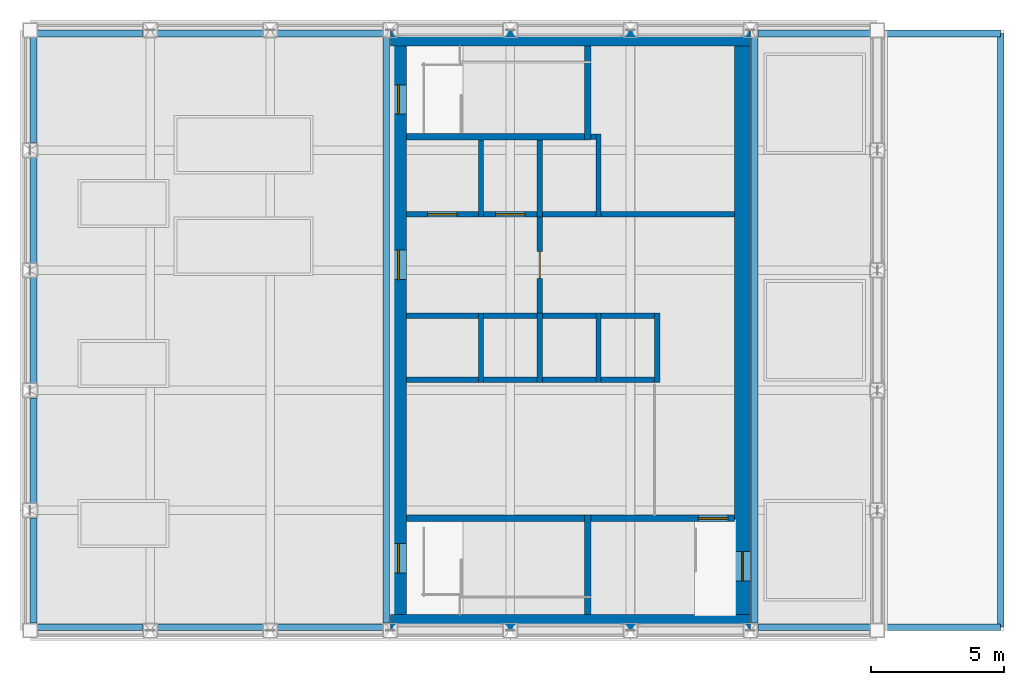
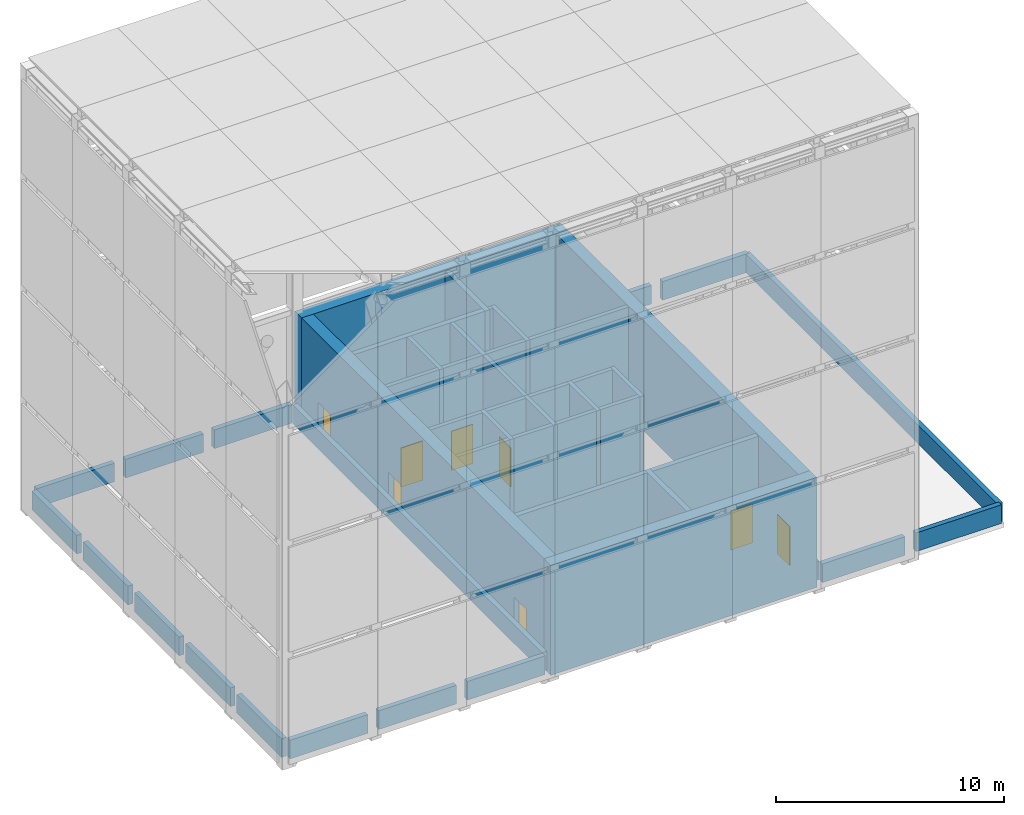
# One storey, part 7 of 11: 48 walls, 8 doors, 8 openings.
"""IFC4 building model written with IfcOpenShell, lengths in metres."""

import ifcopenshell
import ifcopenshell.guid

model = None  # the IFC model being written
_history = None  # IfcOwnerHistory: only IFC2X3 demands one
_inside = {}  # id of a spatial element -> (the spatial element, [elements in it])
_under = {}  # id of a project, library or spatial element -> (it, [spatial elements below it])
_declared = {}  # id of a project -> (the project, [libraries it declares])
_typed = {}  # id of a type object -> (the type object, [elements of that type])
_made_of = {}  # id of a material, layer set ... -> (it, [elements and type objects made of it])


def new_model(schema):
    """Start an empty IFC model of exactly this schema.

    Asked for "IFC4X3", IfcOpenShell would pick the latest addendum, in which some entities
    have other attributes; the version numbers below select the first issue.
    IFC2X3 requires an IfcOwnerHistory on every rooted entity: one is made here for all.
    """
    global model, _history
    if schema == "IFC4X3":
        model = ifcopenshell.file(schema_version=(4, 3, 0, 0))
    else:
        model = ifcopenshell.file(schema=schema)
    _inside.clear()
    _under.clear()
    _declared.clear()
    _typed.clear()
    _made_of.clear()
    _history = None
    if model.schema == "IFC2X3":
        org = make("IfcOrganization", Name="unknown")
        user = make(
            "IfcPersonAndOrganization",
            ThePerson=make("IfcPerson", FamilyName="unknown"),
            TheOrganization=org,
        )
        app = make(
            "IfcApplication",
            ApplicationDeveloper=org,
            Version="unknown",
            ApplicationFullName="unknown",
            ApplicationIdentifier="unknown",
        )
        _history = make(
            "IfcOwnerHistory",
            OwningUser=user,
            OwningApplication=app,
            ChangeAction="ADDED",
            CreationDate=0,
        )
    return model


def make(cls, **values):
    """One entity of the class cls with the attributes given. An attribute that is None is left unset."""
    return model.create_entity(
        cls, **{name: value for name, value in values.items() if value is not None}
    )


def rooted(cls, **values):
    """An entity with a GlobalId (a new one), such as an element, a storey or a relation."""
    return make(cls, GlobalId=ifcopenshell.guid.new(), OwnerHistory=_history, **values)


def si_unit(unit_type, name, prefix=None):
    """IfcSIUnit, for example si_unit("LENGTHUNIT", "METRE", prefix="MILLI")."""
    return make("IfcSIUnit", UnitType=unit_type, Prefix=prefix, Name=name)


def assignment(units):
    """IfcUnitAssignment: the units of a project."""
    return None if units is None else make("IfcUnitAssignment", Units=units)


def point(xyz):
    """IfcCartesianPoint."""
    return None if xyz is None else make("IfcCartesianPoint", Coordinates=xyz)


def direction(xyz):
    """IfcDirection."""
    return None if xyz is None else make("IfcDirection", DirectionRatios=xyz)


def frame(location, z_axis=None, x_axis=None):
    """IfcAxis2Placement3D, a coordinate frame: its origin and axes. An axis left out is left unset."""
    return make(
        "IfcAxis2Placement3D",
        Location=point(location),
        Axis=direction(z_axis),
        RefDirection=direction(x_axis),
    )


def frame_2d(location, x_axis=None):
    """IfcAxis2Placement2D, a coordinate frame in the plane: its origin and x axis."""
    return make(
        "IfcAxis2Placement2D", Location=point(location), RefDirection=direction(x_axis)
    )


def origin():
    """The frame at (0, 0, 0) with its axes left unset."""
    return frame((0.0, 0.0, 0.0))


def place(relative_to, where):
    """IfcLocalPlacement: puts the frame where relative to a parent placement (None: the world)."""
    return make(
        "IfcLocalPlacement", PlacementRelTo=relative_to, RelativePlacement=where
    )


def context(
    kind, dimensions, precision=None, world=None, true_north=None, identifier=None
):
    """IfcGeometricRepresentationContext, for example the 3D "Model" context."""
    return make(
        "IfcGeometricRepresentationContext",
        ContextIdentifier=identifier,
        ContextType=kind,
        CoordinateSpaceDimension=dimensions,
        Precision=precision,
        WorldCoordinateSystem=world,
        TrueNorth=true_north,
    )


def subcontext(parent, identifier, kind, view, scale=None):
    """IfcGeometricRepresentationSubContext, for example "Body" below "Model"."""
    return make(
        "IfcGeometricRepresentationSubContext",
        ContextIdentifier=identifier,
        ContextType=kind,
        ParentContext=parent,
        TargetScale=scale,
        TargetView=view,
    )


def project(units=None, contexts=None):
    """IfcProject with its units and contexts."""
    return rooted(
        "IfcProject",
        Name="project",
        RepresentationContexts=contexts,
        UnitsInContext=assignment(units),
    )


def spatial(cls, under=None, at=None, **own):
    """A site, building, storey or space (cls), placed at a placement, below another one or the project."""
    s = rooted(cls, ObjectPlacement=at, **own)
    if under is not None:
        _under.setdefault(under.id(), (under, []))[1].append(s)
    return s


def profile(cls, at=None, kind="AREA", **sizes):
    """A parametric profile (cls). Its sizes go by their IFC names, for example OverallWidth=200.0."""
    return make(cls, ProfileType=kind, Position=at, **sizes)


def rectangle(**sizes):
    """IfcRectangleProfileDef."""
    return profile("IfcRectangleProfileDef", **sizes)


def extrude(swept, where, along, depth):
    """IfcExtrudedAreaSolid: the profile swept, set in the frame where, extruded along a direction by depth."""
    return make(
        "IfcExtrudedAreaSolid",
        SweptArea=swept,
        Position=where,
        ExtrudedDirection=direction(along),
        Depth=depth,
    )


def shape(context_of_items, identifier, shape_type, items):
    """IfcShapeRepresentation: the items that make up one representation, for example the "Body"."""
    return make(
        "IfcShapeRepresentation",
        ContextOfItems=context_of_items,
        RepresentationIdentifier=identifier,
        RepresentationType=shape_type,
        Items=items,
    )


def material(Name=None, Category=None):
    """IfcMaterial."""
    return make("IfcMaterial", Name=Name, Category=Category)


def layer(
    of_material, thickness, ventilated=None, Name=None, Category=None, Priority=None
):
    """IfcMaterialLayer: one layer of a wall or slab, of a material (None: an air gap)."""
    return make(
        "IfcMaterialLayer",
        Material=of_material,
        LayerThickness=thickness,
        IsVentilated=ventilated,
        Name=Name,
        Category=Category,
        Priority=Priority,
    )


def layer_set(layers, Name=None):
    """IfcMaterialLayerSet."""
    return make("IfcMaterialLayerSet", MaterialLayers=layers, LayerSetName=Name)


def made_of(thing, what):
    """Note that an element or type object is made of a material, layer set ...; save() writes the relation."""
    if what is not None:
        _made_of.setdefault(what.id(), (what, []))[1].append(thing)
    return thing


def type_object(cls, material=None, **own):
    """A type object (cls), such as IfcWallType, which elements share."""
    return made_of(rooted(cls, **own), material)


def element(
    cls,
    number,
    at=None,
    inside=None,
    cuts=None,
    type_object=None,
    material=None,
    context=None,
    identifier="Body",
    shape_type=None,
    held_by="IfcProductDefinitionShape",
    body=None,
    shapes=None,
    **own,
):
    """One element of the class cls, such as IfcWall. Its Tag is "e" and its number.

    at: its placement. inside: the storey or other place that contains it. cuts: it is an
    opening in that element (IfcRelVoidsElement). A single representation is given by context,
    identifier, shape_type and body (its items); several are given by shapes. held_by: the class
    of the entity that holds the representations. save() writes the other relations.
    """
    e = rooted(cls, Tag="e%d" % number, ObjectPlacement=at, **own)
    if body is not None:
        shapes = [shape(context, identifier, shape_type, body)]
    if shapes is not None:
        e.Representation = make(held_by, Representations=shapes)
    if inside is not None:
        _inside.setdefault(inside.id(), (inside, []))[1].append(e)
    if cuts is not None:
        rooted(
            "IfcRelVoidsElement", RelatingBuildingElement=cuts, RelatedOpeningElement=e
        )
    if type_object is not None:
        _typed.setdefault(type_object.id(), (type_object, []))[1].append(e)
    return made_of(e, material)


def fill(opening, filler):
    """IfcRelFillsElement: the door or window that sits in an opening."""
    return rooted(
        "IfcRelFillsElement",
        RelatingOpeningElement=opening,
        RelatedBuildingElement=filler,
    )


def aggregate(whole, parts):
    """IfcRelAggregates: a whole, such as a stair, and the parts it consists of."""
    return rooted("IfcRelAggregates", RelatingObject=whole, RelatedObjects=parts)


def save(model, path):
    """Write the relations noted so far, then the file.

    IfcRelAggregates (storeys below a building ...), IfcRelContainedInSpatialStructure (elements
    in a storey), IfcRelDefinesByType, IfcRelAssociatesMaterial and IfcRelDeclares: one each for
    every whole, place, type object, material and project.
    """
    for whole, parts in _under.values():
        aggregate(whole, parts)
    for where, things in _inside.values():
        rooted(
            "IfcRelContainedInSpatialStructure",
            RelatedElements=things,
            RelatingStructure=where,
        )
    for kind, things in _typed.values():
        rooted("IfcRelDefinesByType", RelatedObjects=things, RelatingType=kind)
    for what, things in _made_of.values():
        rooted("IfcRelAssociatesMaterial", RelatedObjects=things, RelatingMaterial=what)
    for by, libraries in _declared.values():
        rooted("IfcRelDeclares", RelatingContext=by, RelatedDefinitions=libraries)
    model.write(path)


model = new_model("IFC4")

# Units and contexts
model_context = context("Model", 3, precision=1e-05, world=origin(), true_north=direction((0.0, 1.0)))
body_context = subcontext(model_context, "Body", "Model", "MODEL_VIEW")
ifc_project = project(units=[si_unit("LENGTHUNIT", "METRE"), si_unit("AREAUNIT", "SQUARE_METRE"), si_unit("VOLUMEUNIT", "CUBIC_METRE"), si_unit("PLANEANGLEUNIT", "RADIAN"), si_unit("MASSUNIT", "GRAM", prefix="KILO")], contexts=[model_context])

# Site, building, storey
site_placement = place(None, origin())
site = spatial("IfcSite", under=ifc_project, at=site_placement, CompositionType="ELEMENT")
building_placement = place(site_placement, origin())
building = spatial("IfcBuilding", under=site, at=building_placement, Name="Sennacour Bend Tower", CompositionType="ELEMENT")
storey_placement = place(building_placement, frame((0.0, 0.0, 355.5)))
storey = spatial("IfcBuildingStorey", under=building, at=storey_placement, Name="RF", CompositionType="ELEMENT", Elevation=355.5)

# Walls
ifc_material_1 = material(Name="Concrete C50/60", Category="concrete")
ifc_layer_1 = layer(ifc_material_1, 0.60009765625, Name="Concrete C50/60", Category="concrete")
ifc_layer_set_1 = layer_set([ifc_layer_1], Name="Concrete C50/60")
wall_type_1 = type_object("IfcWallType", Name="Core wall 600 C50/60", PredefinedType="SHEAR", material=ifc_layer_set_1)
for number, where, z_axis, x_axis, name in (
    (1, (67.5, 0.300048828125, -0.14990234375), (0.0, 0.0, 1.0), (-1.0, 0.0, 0.0), "Core A wall RF S"),
    (2, (54.0, 22.199951171875, -0.14990234375), (0.0, 0.0, 1.0), (1.0, 0.0, 0.0), "Core A wall RF N"),
):
    element("IfcWall", number, at=place(storey_placement, frame(where, z_axis=z_axis, x_axis=x_axis)), inside=storey, type_object=wall_type_1, Name=name, PredefinedType="SHEAR", context=body_context, shape_type="SweptSolid", body=[
        extrude(rectangle(XDim=13.5, YDim=0.60009765625, at=frame_2d((6.75, 0.0))), origin(), (0.0, 0.0, 1.0), 5.89990234375),
    ])

# Wall, openings, doors
wall_1_placement = place(storey_placement, frame((54.300048828125, 0.60009765625, -0.14990234375), z_axis=(0.0, 0.0, 1.0), x_axis=(0.0, 1.0, 0.0)))
wall_1 = element("IfcWall", 3, at=wall_1_placement, inside=storey, type_object=wall_type_1, Name="Core A wall RF W", PredefinedType="SHEAR", context=body_context, shape_type="SweptSolid", body=[
    extrude(rectangle(XDim=21.2998046875, YDim=0.60009765625, at=frame_2d((10.64990234375, 0.0))), origin(), (0.0, 0.0, 1.0), 5.89990234375),
])
opening_1_placement = place(wall_1_placement, frame((1.550048828125, 0.0, 0.14990234375)))
opening_1 = element("IfcOpeningElement", 4, at=opening_1_placement, cuts=wall_1, Name="Opening SD", PredefinedType="OPENING", context=body_context, shape_type="SweptSolid", body=[
    extrude(rectangle(XDim=1.10009765625, YDim=2.10009765625, at=frame_2d((0.550048828125, 1.050048828125))), frame((0.0, 0.31005859375, 0.0), z_axis=(0.0, -1.0, 0.0), x_axis=(1.0, 0.0, 0.0)), (0.0, 0.0, 1.0), 0.6201171875),
])
opening_2_placement = place(wall_1_placement, frame((18.75, 0.0, 0.14990234375)))
opening_2 = element("IfcOpeningElement", 5, at=opening_2_placement, cuts=wall_1, Name="Opening SD", PredefinedType="OPENING", context=body_context, shape_type="SweptSolid", body=[
    extrude(rectangle(XDim=1.10009765625, YDim=2.10009765625, at=frame_2d((0.550048828125, 1.050048828125))), frame((0.0, 0.31005859375, 0.0), z_axis=(0.0, -1.0, 0.0), x_axis=(1.0, 0.0, 0.0)), (0.0, 0.0, 1.0), 0.6201171875),
])
opening_3_placement = place(wall_1_placement, frame((12.550048828125, 0.0, 0.14990234375)))
opening_3 = element("IfcOpeningElement", 6, at=opening_3_placement, cuts=wall_1, Name="Opening FD", PredefinedType="OPENING", context=body_context, shape_type="SweptSolid", body=[
    extrude(rectangle(XDim=1.10009765625, YDim=2.10009765625, at=frame_2d((0.550048828125, 1.050048828125))), frame((0.0, 0.31005859375, 0.0), z_axis=(0.0, -1.0, 0.0), x_axis=(1.0, 0.0, 0.0)), (0.0, 0.0, 1.0), 0.6201171875),
])
ifc_material_2 = material(Name="Painted steel", Category="steel")
door_type_1 = type_object("IfcDoorType", Name="DR-FFL-1100", OperationType="NOTDEFINED", PredefinedType="DOOR", material=ifc_material_2)
door_1_placement = place(opening_3_placement, origin())
door_1 = element("IfcDoor", 7, at=door_1_placement, inside=storey, type_object=door_type_1, Name="Door", OperationType="SINGLE_SWING_RIGHT", OverallHeight=2.10009765625, OverallWidth=1.10009765625, PredefinedType="DOOR", context=body_context, shape_type="SweptSolid", body=[
    extrude(rectangle(XDim=1.10009765625, YDim=2.10009765625, at=frame_2d((0.550048828125, 1.050048828125))), frame((0.0, 0.02490234375, 0.0), z_axis=(0.0, -1.0, 0.0), x_axis=(1.0, 0.0, 0.0)), (0.0, 0.0, 1.0), 0.050048828125),
])
fill(opening_3, door_1)
door_type_2 = type_object("IfcDoorType", Name="DR-STAIR-1100", OperationType="NOTDEFINED", PredefinedType="DOOR", material=ifc_material_2)
door_2_placement = place(opening_1_placement, origin())
door_2 = element("IfcDoor", 8, at=door_2_placement, inside=storey, type_object=door_type_2, Name="Door", OperationType="SINGLE_SWING_LEFT", OverallHeight=2.10009765625, OverallWidth=1.10009765625, PredefinedType="DOOR", context=body_context, shape_type="SweptSolid", body=[
    extrude(rectangle(XDim=1.10009765625, YDim=2.10009765625, at=frame_2d((0.550048828125, 1.050048828125))), frame((0.0, 0.02490234375, 0.0), z_axis=(0.0, -1.0, 0.0), x_axis=(1.0, 0.0, 0.0)), (0.0, 0.0, 1.0), 0.050048828125),
])
fill(opening_1, door_2)
door_3_placement = place(opening_2_placement, origin())
door_3 = element("IfcDoor", 9, at=door_3_placement, inside=storey, type_object=door_type_2, Name="Door", OperationType="SINGLE_SWING_RIGHT", OverallHeight=2.10009765625, OverallWidth=1.10009765625, PredefinedType="DOOR", context=body_context, shape_type="SweptSolid", body=[
    extrude(rectangle(XDim=1.10009765625, YDim=2.10009765625, at=frame_2d((0.550048828125, 1.050048828125))), frame((0.0, 0.02490234375, 0.0), z_axis=(0.0, -1.0, 0.0), x_axis=(1.0, 0.0, 0.0)), (0.0, 0.0, 1.0), 0.050048828125),
])
fill(opening_2, door_3)

# Wall, opening, door
wall_2_placement = place(storey_placement, frame((67.199951171875, 0.60009765625, -0.14990234375), z_axis=(0.0, 0.0, 1.0), x_axis=(0.0, 1.0, 0.0)))
wall_2 = element("IfcWall", 10, at=wall_2_placement, inside=storey, type_object=wall_type_1, Name="Core A wall RF E", PredefinedType="SHEAR", context=body_context, shape_type="SweptSolid", body=[
    extrude(rectangle(XDim=21.2998046875, YDim=0.60009765625, at=frame_2d((10.64990234375, 0.0))), origin(), (0.0, 0.0, 1.0), 5.89990234375),
])
opening_4_placement = place(wall_2_placement, frame((1.25, 0.0, 0.14990234375)))
opening_4 = element("IfcOpeningElement", 11, at=opening_4_placement, cuts=wall_2, Name="Opening SD", PredefinedType="OPENING", context=body_context, shape_type="SweptSolid", body=[
    extrude(rectangle(XDim=1.10009765625, YDim=2.10009765625, at=frame_2d((0.550048828125, 1.050048828125))), frame((0.0, 0.31005859375, 0.0), z_axis=(0.0, -1.0, 0.0), x_axis=(1.0, 0.0, 0.0)), (0.0, 0.0, 1.0), 0.6201171875),
])
door_4_placement = place(opening_4_placement, origin())
door_4 = element("IfcDoor", 12, at=door_4_placement, inside=storey, type_object=door_type_2, Name="Door", OperationType="SINGLE_SWING_LEFT", OverallHeight=2.10009765625, OverallWidth=1.10009765625, PredefinedType="DOOR", context=body_context, shape_type="SweptSolid", body=[
    extrude(rectangle(XDim=1.10009765625, YDim=2.10009765625, at=frame_2d((0.550048828125, 1.050048828125))), frame((0.0, 0.02490234375, 0.0), z_axis=(0.0, -1.0, 0.0), x_axis=(1.0, 0.0, 0.0)), (0.0, 0.0, 1.0), 0.050048828125),
])
fill(opening_4, door_4)

# Wall
ifc_material_3 = material(Name="Fire-rated plasterboard partition on steel studs", Category="steel")
ifc_layer_2 = layer(ifc_material_3, 0.199951171875, Name="Fire-rated plasterboard partition on steel studs", Category="steel")
ifc_layer_set_2 = layer_set([ifc_layer_2], Name="Fire-rated plasterboard partition on steel studs")
wall_type_2 = type_object("IfcWallType", Name="Rated partition 200", PredefinedType="PARTITIONING", material=ifc_layer_set_2)
wall_3_placement = place(storey_placement, frame((61.89990234375, 15.60009765625, 0.0), z_axis=(0.0, 0.0, 1.0), x_axis=(1.0, 0.0, 0.0)))
element("IfcWall", 13, at=wall_3_placement, inside=storey, type_object=wall_type_2, Name="P-RF-W015", PredefinedType="PARTITIONING", context=body_context, shape_type="SweptSolid", body=[
    extrude(rectangle(XDim=5.0, YDim=0.199951171875, at=frame_2d((2.5, 0.0))), origin(), (0.0, 0.0, 1.0), 5.699951171875),
])

# Wall, opening, door
ifc_layer_3 = layer(ifc_material_3, 0.199951171875, Name="Fire-rated plasterboard partition on steel studs", Category="steel")
ifc_layer_set_3 = layer_set([ifc_layer_3], Name="Fire-rated plasterboard partition on steel studs")
wall_type_3 = type_object("IfcWallType", Name="Rated partition 200 EI 90", PredefinedType="PARTITIONING", material=ifc_layer_set_3)
wall_4_placement = place(storey_placement, frame((59.60009765625, 11.89990234375, 0.0), z_axis=(0.0, 0.0, 1.0), x_axis=(0.0, 1.0, 0.0)))
wall_4 = element("IfcWall", 14, at=wall_4_placement, inside=storey, type_object=wall_type_3, Name="P-RF-W004", PredefinedType="PARTITIONING", context=body_context, shape_type="SweptSolid", body=[
    extrude(rectangle(XDim=3.60009765625, YDim=0.199951171875, at=frame_2d((1.800048828125, 0.0))), origin(), (0.0, 0.0, 1.0), 5.699951171875),
])
opening_5_placement = place(wall_4_placement, frame((1.300048828125, 0.0, 0.0)))
opening_5 = element("IfcOpeningElement", 15, at=opening_5_placement, cuts=wall_4, Name="Opening FD2", PredefinedType="OPENING", context=body_context, shape_type="SweptSolid", body=[
    extrude(rectangle(XDim=1.0, YDim=2.10009765625, at=frame_2d((0.5, 1.050048828125))), frame((0.0, 0.10986328125, 0.0), z_axis=(0.0, -1.0, 0.0), x_axis=(1.0, 0.0, 0.0)), (0.0, 0.0, 1.0), 0.219970703125),
])
door_type_3 = type_object("IfcDoorType", Name="DR-FFL-1000", OperationType="NOTDEFINED", PredefinedType="DOOR", material=ifc_material_2)
door_5_placement = place(opening_5_placement, origin())
door_5 = element("IfcDoor", 16, at=door_5_placement, inside=storey, type_object=door_type_3, Name="Door", OperationType="SINGLE_SWING_LEFT", OverallHeight=2.10009765625, OverallWidth=1.0, PredefinedType="DOOR", context=body_context, shape_type="SweptSolid", body=[
    extrude(rectangle(XDim=1.0, YDim=2.10009765625, at=frame_2d((0.5, 1.050048828125))), frame((0.0, 0.02490234375, 0.0), z_axis=(0.0, -1.0, 0.0), x_axis=(1.0, 0.0, 0.0)), (0.0, 0.0, 1.0), 0.050048828125),
])
fill(opening_5, door_5)

# Walls
ifc_material_4 = material(Name="Warm limestone cladding", Category="masonry")
ifc_layer_4 = layer(ifc_material_4, 0.050048828125, Name="Warm limestone cladding", Category="masonry")
ifc_material_5 = material(Name="Precast concrete C40/50", Category="concrete")
ifc_layer_5 = layer(ifc_material_5, 0.199951171875, Name="Precast concrete C40/50", Category="concrete")
ifc_layer_set_4 = layer_set([ifc_layer_4, ifc_layer_5], Name="Precast concrete C40/50 with limestone cladding")
wall_type_4 = type_object("IfcWallType", Name="STONE-CLAD PARAPET 250", PredefinedType="PARAPET", material=ifc_layer_set_4)
for number, where, z_axis, x_axis, name in (
    (17, (40.625, 0.279296875, 0.0), (0.0, 0.0, 1.0), (0.0, 1.0, 0.0), "Parapet RF"),
    (18, (40.625, 4.779296875, 0.0), (0.0, 0.0, 1.0), (0.0, 1.0, 0.0), "Parapet RF"),
    (19, (40.625, 9.279296875, 0.0), (0.0, 0.0, 1.0), (0.0, 1.0, 0.0), "Parapet RF"),
    (20, (40.625, 13.779296875, 0.0), (0.0, 0.0, 1.0), (0.0, 1.0, 0.0), "Parapet RF"),
    (21, (40.625, 18.279296875, 0.0), (0.0, 0.0, 1.0), (0.0, 1.0, 0.0), "Parapet RF"),
    (22, (40.779296875, 22.375, 0.0), (0.0, 0.0, 1.0), (1.0, 0.0, 0.0), "Parapet RF"),
    (23, (45.279296875, 22.375, 0.0), (0.0, 0.0, 1.0), (1.0, 0.0, 0.0), "Parapet RF"),
    (24, (49.779296875, 22.375, 0.0), (0.0, 0.0, 1.0), (1.0, 0.0, 0.0), "Parapet RF"),
):
    element("IfcWall", number, at=place(storey_placement, frame(where, z_axis=z_axis, x_axis=x_axis)), inside=storey, type_object=wall_type_4, Name=name, PredefinedType="PARAPET", context=body_context, shape_type="SweptSolid", body=[
        extrude(rectangle(XDim=3.94140625, YDim=0.25, at=frame_2d((1.970703125, 0.0))), origin(), (0.0, 0.0, 1.0), 1.0),
    ])
wall_5_placement = place(storey_placement, frame((53.844970703125, 22.220703125, 0.0), z_axis=(0.0, 0.0, 1.0), x_axis=(0.0, -1.0, 0.0)))
element("IfcWall", 25, at=wall_5_placement, inside=storey, type_object=wall_type_4, Name="Parapet RF", PredefinedType="PARAPET", context=body_context, shape_type="SweptSolid", body=[
    extrude(rectangle(XDim=21.94140625, YDim=0.25, at=frame_2d((10.970703125, 0.0))), origin(), (0.0, 0.0, 1.0), 1.0),
])
for number, where, z_axis, x_axis, name in (
    (26, (53.720703125, 0.125, 0.0), (0.0, 0.0, 1.0), (-1.0, 0.0, 0.0), "Parapet RF"),
    (27, (49.220703125, 0.125, 0.0), (0.0, 0.0, 1.0), (-1.0, 0.0, 0.0), "Parapet RF"),
    (28, (44.720703125, 0.125, 0.0), (0.0, 0.0, 1.0), (-1.0, 0.0, 0.0), "Parapet RF"),
):
    element("IfcWall", number, at=place(storey_placement, frame(where, z_axis=z_axis, x_axis=x_axis)), inside=storey, type_object=wall_type_4, Name=name, PredefinedType="PARAPET", context=body_context, shape_type="SweptSolid", body=[
        extrude(rectangle(XDim=3.94140625, YDim=0.25, at=frame_2d((1.970703125, 0.0))), origin(), (0.0, 0.0, 1.0), 1.0),
    ])
wall_6_placement = place(storey_placement, frame((76.875, 22.375, 0.0), z_axis=(0.0, 0.0, 1.0), x_axis=(0.0, -1.0, 0.0)))
element("IfcWall", 29, at=wall_6_placement, inside=storey, type_object=wall_type_4, Name="Parapet RF", PredefinedType="PARAPET", context=body_context, shape_type="SweptSolid", body=[
    extrude(rectangle(XDim=22.25, YDim=0.25, at=frame_2d((11.125, 0.0))), origin(), (0.0, 0.0, 1.0), 1.0),
])
wall_7_placement = place(storey_placement, frame((76.875, 0.125, 0.0), z_axis=(0.0, 0.0, 1.0), x_axis=(-1.0, 0.0, 0.0)))
element("IfcWall", 30, at=wall_7_placement, inside=storey, type_object=wall_type_4, Name="Parapet RF", PredefinedType="PARAPET", context=body_context, shape_type="SweptSolid", body=[
    extrude(rectangle(XDim=4.345703125, YDim=0.25, at=frame_2d((2.1728515625, 0.0))), origin(), (0.0, 0.0, 1.0), 1.0),
])
wall_8_placement = place(storey_placement, frame((71.970703125, 0.125, 0.0), z_axis=(0.0, 0.0, 1.0), x_axis=(-1.0, 0.0, 0.0)))
element("IfcWall", 31, at=wall_8_placement, inside=storey, type_object=wall_type_4, Name="Parapet RF", PredefinedType="PARAPET", context=body_context, shape_type="SweptSolid", body=[
    extrude(rectangle(XDim=4.19140625, YDim=0.25, at=frame_2d((2.095703125, 0.0))), origin(), (0.0, 0.0, 1.0), 1.0),
])
wall_9_placement = place(storey_placement, frame((67.655029296875, 0.279296875, 0.0), z_axis=(0.0, 0.0, 1.0), x_axis=(0.0, 1.0, 0.0)))
element("IfcWall", 32, at=wall_9_placement, inside=storey, type_object=wall_type_4, Name="Parapet RF", PredefinedType="PARAPET", context=body_context, shape_type="SweptSolid", body=[
    extrude(rectangle(XDim=21.94140625, YDim=0.25, at=frame_2d((10.970703125, 0.0))), origin(), (0.0, 0.0, 1.0), 1.0),
])
wall_10_placement = place(storey_placement, frame((67.779296875, 22.375, 0.0), z_axis=(0.0, 0.0, 1.0), x_axis=(1.0, 0.0, 0.0)))
element("IfcWall", 33, at=wall_10_placement, inside=storey, type_object=wall_type_4, Name="Parapet RF", PredefinedType="PARAPET", context=body_context, shape_type="SweptSolid", body=[
    extrude(rectangle(XDim=4.19140625, YDim=0.25, at=frame_2d((2.095703125, 0.0))), origin(), (0.0, 0.0, 1.0), 1.0),
])
wall_11_placement = place(storey_placement, frame((72.529296875, 22.375, 0.0), z_axis=(0.0, 0.0, 1.0), x_axis=(1.0, 0.0, 0.0)))
element("IfcWall", 34, at=wall_11_placement, inside=storey, type_object=wall_type_4, Name="Parapet RF", PredefinedType="PARAPET", context=body_context, shape_type="SweptSolid", body=[
    extrude(rectangle(XDim=4.345703125, YDim=0.25, at=frame_2d((2.1728515625, 0.0))), origin(), (0.0, 0.0, 1.0), 1.0),
])
ifc_layer_6 = layer(ifc_material_1, 0.199951171875, Name="Concrete C50/60", Category="concrete")
ifc_layer_set_5 = layer_set([ifc_layer_6], Name="Concrete C50/60")
wall_type_5 = type_object("IfcWallType", Name="Shaft wall 200", PredefinedType="SOLIDWALL", material=ifc_layer_set_5)
wall_12_placement = place(storey_placement, frame((57.39990234375, 9.300048828125, -0.25), z_axis=(0.0, 0.0, 1.0), x_axis=(0.0, 1.0, 0.0)))
element("IfcWall", 35, at=wall_12_placement, inside=storey, type_object=wall_type_5, Name="P-RF-W001", PredefinedType="SOLIDWALL", context=body_context, shape_type="SweptSolid", body=[
    extrude(rectangle(XDim=2.599853515625, YDim=0.199951171875, at=frame_2d((1.2998046875, 0.0))), origin(), (0.0, 0.0, 1.0), 5.949951171875),
])
wall_13_placement = place(storey_placement, frame((57.39990234375, 15.5, -0.25), z_axis=(0.0, 0.0, 1.0), x_axis=(0.0, 1.0, 0.0)))
element("IfcWall", 36, at=wall_13_placement, inside=storey, type_object=wall_type_5, Name="P-RF-W002", PredefinedType="SOLIDWALL", context=body_context, shape_type="SweptSolid", body=[
    extrude(rectangle(XDim=2.875, YDim=0.199951171875, at=frame_2d((1.4375, 0.0))), origin(), (0.0, 0.0, 1.0), 5.949951171875),
])
wall_14_placement = place(storey_placement, frame((59.60009765625, 9.300048828125, -0.25), z_axis=(0.0, 0.0, 1.0), x_axis=(0.0, 1.0, 0.0)))
element("IfcWall", 37, at=wall_14_placement, inside=storey, type_object=wall_type_5, Name="P-RF-W003", PredefinedType="SOLIDWALL", context=body_context, shape_type="SweptSolid", body=[
    extrude(rectangle(XDim=2.599853515625, YDim=0.199951171875, at=frame_2d((1.2998046875, 0.0))), origin(), (0.0, 0.0, 1.0), 5.949951171875),
])
wall_15_placement = place(storey_placement, frame((59.60009765625, 15.5, -0.25), z_axis=(0.0, 0.0, 1.0), x_axis=(0.0, 1.0, 0.0)))
element("IfcWall", 38, at=wall_15_placement, inside=storey, type_object=wall_type_5, Name="P-RF-W005", PredefinedType="SOLIDWALL", context=body_context, shape_type="SweptSolid", body=[
    extrude(rectangle(XDim=2.875, YDim=0.199951171875, at=frame_2d((1.4375, 0.0))), origin(), (0.0, 0.0, 1.0), 5.949951171875),
])
wall_16_placement = place(storey_placement, frame((61.800048828125, 9.300048828125, -0.25), z_axis=(0.0, 0.0, 1.0), x_axis=(0.0, 1.0, 0.0)))
element("IfcWall", 39, at=wall_16_placement, inside=storey, type_object=wall_type_5, Name="P-RF-W008", PredefinedType="SOLIDWALL", context=body_context, shape_type="SweptSolid", body=[
    extrude(rectangle(XDim=2.599853515625, YDim=0.199951171875, at=frame_2d((1.2998046875, 0.0))), origin(), (0.0, 0.0, 1.0), 5.949951171875),
])
wall_17_placement = place(storey_placement, frame((61.800048828125, 15.5, -0.25), z_axis=(0.0, 0.0, 1.0), x_axis=(0.0, 1.0, 0.0)))
element("IfcWall", 40, at=wall_17_placement, inside=storey, type_object=wall_type_5, Name="P-RF-W009", PredefinedType="SOLIDWALL", context=body_context, shape_type="SweptSolid", body=[
    extrude(rectangle(XDim=3.10009765625, YDim=0.199951171875, at=frame_2d((1.550048828125, 0.0))), origin(), (0.0, 0.0, 1.0), 5.949951171875),
])
wall_18_placement = place(storey_placement, frame((64.0, 9.300048828125, 0.0), z_axis=(0.0, 0.0, 1.0), x_axis=(0.0, 1.0, 0.0)))
element("IfcWall", 41, at=wall_18_placement, inside=storey, type_object=wall_type_5, Name="P-RF-W010", PredefinedType="SOLIDWALL", context=body_context, shape_type="SweptSolid", body=[
    extrude(rectangle(XDim=2.599853515625, YDim=0.199951171875, at=frame_2d((1.2998046875, 0.0))), origin(), (0.0, 0.0, 1.0), 5.699951171875),
])
wall_19_placement = place(storey_placement, frame((54.60009765625, 9.39990234375, -0.25), z_axis=(0.0, 0.0, 1.0), x_axis=(1.0, 0.0, 0.0)))
element("IfcWall", 42, at=wall_19_placement, inside=storey, type_object=wall_type_5, Name="P-RF-W012a", PredefinedType="SOLIDWALL", context=body_context, shape_type="SweptSolid", body=[
    extrude(rectangle(XDim=2.699951171875, YDim=0.199951171875, at=frame_2d((1.35009765625, 0.0))), origin(), (0.0, 0.0, 1.0), 5.949951171875),
])
for number, where, z_axis, x_axis, name in (
    (43, (57.5, 9.39990234375, -0.25), (0.0, 0.0, 1.0), (1.0, 0.0, 0.0), "P-RF-W012b"),
    (44, (59.699951171875, 9.39990234375, -0.25), (0.0, 0.0, 1.0), (1.0, 0.0, 0.0), "P-RF-W012c"),
    (45, (61.89990234375, 9.39990234375, -0.25), (0.0, 0.0, 1.0), (1.0, 0.0, 0.0), "P-RF-W012d"),
):
    element("IfcWall", number, at=place(storey_placement, frame(where, z_axis=z_axis, x_axis=x_axis)), inside=storey, type_object=wall_type_5, Name=name, PredefinedType="SOLIDWALL", context=body_context, shape_type="SweptSolid", body=[
        extrude(rectangle(XDim=2.0, YDim=0.199951171875, at=frame_2d((1.0, 0.0))), origin(), (0.0, 0.0, 1.0), 5.949951171875),
    ])
wall_20_placement = place(storey_placement, frame((54.60009765625, 11.800048828125, 0.0), z_axis=(0.0, 0.0, 1.0), x_axis=(1.0, 0.0, 0.0)))
element("IfcWall", 46, at=wall_20_placement, inside=storey, type_object=wall_type_5, Name="P-RF-W013a", PredefinedType="SOLIDWALL", context=body_context, shape_type="SweptSolid", body=[
    extrude(rectangle(XDim=2.699951171875, YDim=0.199951171875, at=frame_2d((1.35009765625, 0.0))), origin(), (0.0, 0.0, 1.0), 5.699951171875),
])
for number, where, z_axis, x_axis, name in (
    (47, (57.5, 11.800048828125, 0.0), (0.0, 0.0, 1.0), (1.0, 0.0, 0.0), "P-RF-W013b"),
    (48, (59.699951171875, 11.800048828125, 0.0), (0.0, 0.0, 1.0), (1.0, 0.0, 0.0), "P-RF-W013c"),
    (49, (61.89990234375, 11.800048828125, 0.0), (0.0, 0.0, 1.0), (1.0, 0.0, 0.0), "P-RF-W013d"),
):
    element("IfcWall", number, at=place(storey_placement, frame(where, z_axis=z_axis, x_axis=x_axis)), inside=storey, type_object=wall_type_5, Name=name, PredefinedType="SOLIDWALL", context=body_context, shape_type="SweptSolid", body=[
        extrude(rectangle(XDim=2.0, YDim=0.199951171875, at=frame_2d((1.0, 0.0))), origin(), (0.0, 0.0, 1.0), 5.699951171875),
    ])

# Wall, opening, door
wall_21_placement = place(storey_placement, frame((54.60009765625, 15.60009765625, 0.0), z_axis=(0.0, 0.0, 1.0), x_axis=(1.0, 0.0, 0.0)))
wall_21 = element("IfcWall", 50, at=wall_21_placement, inside=storey, type_object=wall_type_5, Name="P-RF-W014a", PredefinedType="SOLIDWALL", context=body_context, shape_type="SweptSolid", body=[
    extrude(rectangle(XDim=2.699951171875, YDim=0.199951171875, at=frame_2d((1.35009765625, 0.0))), origin(), (0.0, 0.0, 1.0), 5.699951171875),
])
opening_6_placement = place(wall_21_placement, frame((0.7998046875, 0.0, 0.011962890625)))
opening_6 = element("IfcOpeningElement", 51, at=opening_6_placement, cuts=wall_21, Name="Opening FLD", PredefinedType="OPENING", context=body_context, shape_type="SweptSolid", body=[
    extrude(rectangle(XDim=1.10009765625, YDim=2.10009765625, at=frame_2d((0.550048828125, 1.050048828125))), frame((0.0, 0.10986328125, 0.0), z_axis=(0.0, -1.0, 0.0), x_axis=(1.0, 0.0, 0.0)), (0.0, 0.0, 1.0), 0.219970703125),
])
ifc_material_6 = material(Name="Stainless steel", Category="steel")
door_type_4 = type_object("IfcDoorType", Name="DR-FF-LANDING-1100", OperationType="NOTDEFINED", PredefinedType="DOOR", material=ifc_material_6)
door_6_placement = place(opening_6_placement, origin())
door_6 = element("IfcDoor", 52, at=door_6_placement, inside=storey, type_object=door_type_4, Name="Fire service lift landing door FA1", OperationType="SLIDING_TO_RIGHT", OverallHeight=2.10009765625, OverallWidth=1.10009765625, PredefinedType="DOOR", context=body_context, shape_type="SweptSolid", body=[
    extrude(rectangle(XDim=1.10009765625, YDim=2.10009765625, at=frame_2d((0.550048828125, 1.050048828125))), frame((0.0, 0.02490234375, 0.0), z_axis=(0.0, -1.0, 0.0), x_axis=(1.0, 0.0, 0.0)), (0.0, 0.0, 1.0), 0.050048828125),
])
fill(opening_6, door_6)

wall_22_placement = place(storey_placement, frame((57.5, 15.60009765625, 0.0), z_axis=(0.0, 0.0, 1.0), x_axis=(1.0, 0.0, 0.0)))
wall_22 = element("IfcWall", 53, at=wall_22_placement, inside=storey, type_object=wall_type_5, Name="P-RF-W014b", PredefinedType="SOLIDWALL", context=body_context, shape_type="SweptSolid", body=[
    extrude(rectangle(XDim=2.0, YDim=0.199951171875, at=frame_2d((1.0, 0.0))), origin(), (0.0, 0.0, 1.0), 5.699951171875),
])
opening_7_placement = place(wall_22_placement, frame((0.449951171875, 0.0, 0.011962890625)))
opening_7 = element("IfcOpeningElement", 54, at=opening_7_placement, cuts=wall_22, Name="Opening FLD", PredefinedType="OPENING", context=body_context, shape_type="SweptSolid", body=[
    extrude(rectangle(XDim=1.10009765625, YDim=2.10009765625, at=frame_2d((0.550048828125, 1.050048828125))), frame((0.0, 0.10986328125, 0.0), z_axis=(0.0, -1.0, 0.0), x_axis=(1.0, 0.0, 0.0)), (0.0, 0.0, 1.0), 0.219970703125),
])
door_7_placement = place(opening_7_placement, origin())
door_7 = element("IfcDoor", 55, at=door_7_placement, inside=storey, type_object=door_type_4, Name="Fire service lift landing door FA2", OperationType="SLIDING_TO_LEFT", OverallHeight=2.10009765625, OverallWidth=1.10009765625, PredefinedType="DOOR", context=body_context, shape_type="SweptSolid", body=[
    extrude(rectangle(XDim=1.10009765625, YDim=2.10009765625, at=frame_2d((0.550048828125, 1.050048828125))), frame((0.0, 0.02490234375, 0.0), z_axis=(0.0, -1.0, 0.0), x_axis=(1.0, 0.0, 0.0)), (0.0, 0.0, 1.0), 0.050048828125),
])
fill(opening_7, door_7)

# Walls
wall_23_placement = place(storey_placement, frame((59.699951171875, 15.60009765625, 0.0), z_axis=(0.0, 0.0, 1.0), x_axis=(1.0, 0.0, 0.0)))
element("IfcWall", 56, at=wall_23_placement, inside=storey, type_object=wall_type_5, Name="P-RF-W014c", PredefinedType="SOLIDWALL", context=body_context, shape_type="SweptSolid", body=[
    extrude(rectangle(XDim=2.0, YDim=0.199951171875, at=frame_2d((1.0, 0.0))), origin(), (0.0, 0.0, 1.0), 5.699951171875),
])
wall_24_placement = place(storey_placement, frame((61.52490234375, 18.5, -0.25), z_axis=(0.0, 0.0, 1.0), x_axis=(1.0, 0.0, 0.0)))
element("IfcWall", 57, at=wall_24_placement, inside=storey, type_object=wall_type_5, Name="P-RF-W017", PredefinedType="SOLIDWALL", context=body_context, shape_type="SweptSolid", body=[
    extrude(rectangle(XDim=0.175048828125, YDim=0.199951171875, at=frame_2d((0.08740234375, 0.0))), origin(), (0.0, 0.0, 1.0), 5.949951171875),
])
ifc_material_7 = material(Name="Concrete C60/75", Category="concrete")
ifc_layer_7 = layer(ifc_material_7, 0.25, Name="Concrete C60/75", Category="concrete")
ifc_layer_set_6 = layer_set([ifc_layer_7], Name="Concrete C60/75")
wall_type_6 = type_object("IfcWallType", Name="Stair wall 250", PredefinedType="SHEAR", material=ifc_layer_set_6)
wall_25_placement = place(storey_placement, frame((61.39990234375, 0.60009765625, -0.25), z_axis=(0.0, 0.0, 1.0), x_axis=(0.0, 1.0, 0.0)))
element("IfcWall", 58, at=wall_25_placement, inside=storey, type_object=wall_type_6, Name="P-RF-W006", PredefinedType="SHEAR", context=body_context, shape_type="SweptSolid", body=[
    extrude(rectangle(XDim=3.724853515625, YDim=0.25, at=frame_2d((1.8623046875, 0.0))), origin(), (0.0, 0.0, 1.0), 5.949951171875),
])
wall_26_placement = place(storey_placement, frame((61.39990234375, 18.375, -0.25), z_axis=(0.0, 0.0, 1.0), x_axis=(0.0, 1.0, 0.0)))
element("IfcWall", 59, at=wall_26_placement, inside=storey, type_object=wall_type_6, Name="P-RF-W007", PredefinedType="SHEAR", context=body_context, shape_type="SweptSolid", body=[
    extrude(rectangle(XDim=3.52490234375, YDim=0.25, at=frame_2d((1.762451171875, 0.0))), origin(), (0.0, 0.0, 1.0), 5.949951171875),
])
wall_27_placement = place(storey_placement, frame((54.60009765625, 4.199951171875, -0.25), z_axis=(0.0, 0.0, 1.0), x_axis=(1.0, 0.0, 0.0)))
element("IfcWall", 60, at=wall_27_placement, inside=storey, type_object=wall_type_6, Name="P-RF-W011a", PredefinedType="SHEAR", context=body_context, shape_type="SweptSolid", body=[
    extrude(rectangle(XDim=6.6748046875, YDim=0.25, at=frame_2d((3.33740234375, 0.0))), origin(), (0.0, 0.0, 1.0), 5.949951171875),
])

# Wall, opening, door
wall_28_placement = place(storey_placement, frame((61.52490234375, 4.199951171875, -0.25), z_axis=(0.0, 0.0, 1.0), x_axis=(1.0, 0.0, 0.0)))
wall_28 = element("IfcWall", 61, at=wall_28_placement, inside=storey, type_object=wall_type_6, Name="P-RF-W011b", PredefinedType="SHEAR", context=body_context, shape_type="SweptSolid", body=[
    extrude(rectangle(XDim=5.375, YDim=0.25, at=frame_2d((2.6875, 0.0))), origin(), (0.0, 0.0, 1.0), 5.949951171875),
])
opening_8_placement = place(wall_28_placement, frame((4.025146484375, 0.0, 0.25)))
opening_8 = element("IfcOpeningElement", 62, at=opening_8_placement, cuts=wall_28, Name="Opening SD", PredefinedType="OPENING", context=body_context, shape_type="SweptSolid", body=[
    extrude(rectangle(XDim=1.10009765625, YDim=2.10009765625, at=frame_2d((0.550048828125, 1.050048828125))), frame((0.0, 0.135009765625, 0.0), z_axis=(0.0, -1.0, 0.0), x_axis=(1.0, 0.0, 0.0)), (0.0, 0.0, 1.0), 0.27001953125),
])
door_8_placement = place(opening_8_placement, origin())
door_8 = element("IfcDoor", 63, at=door_8_placement, inside=storey, type_object=door_type_2, Name="Door", OperationType="SINGLE_SWING_RIGHT", OverallHeight=2.10009765625, OverallWidth=1.10009765625, PredefinedType="DOOR", context=body_context, shape_type="SweptSolid", body=[
    extrude(rectangle(XDim=1.10009765625, YDim=2.10009765625, at=frame_2d((0.550048828125, 1.050048828125))), frame((0.0, 0.02490234375, 0.0), z_axis=(0.0, -1.0, 0.0), x_axis=(1.0, 0.0, 0.0)), (0.0, 0.0, 1.0), 0.050048828125),
])
fill(opening_8, door_8)

# Wall
wall_29_placement = place(storey_placement, frame((54.60009765625, 18.5, -0.25), z_axis=(0.0, 0.0, 1.0), x_axis=(1.0, 0.0, 0.0)))
element("IfcWall", 64, at=wall_29_placement, inside=storey, type_object=wall_type_6, Name="P-RF-W016", PredefinedType="SHEAR", context=body_context, shape_type="SweptSolid", body=[
    extrude(rectangle(XDim=6.6748046875, YDim=0.25, at=frame_2d((3.33740234375, 0.0))), origin(), (0.0, 0.0, 1.0), 5.949951171875),
])

save(model, "model.ifc")
